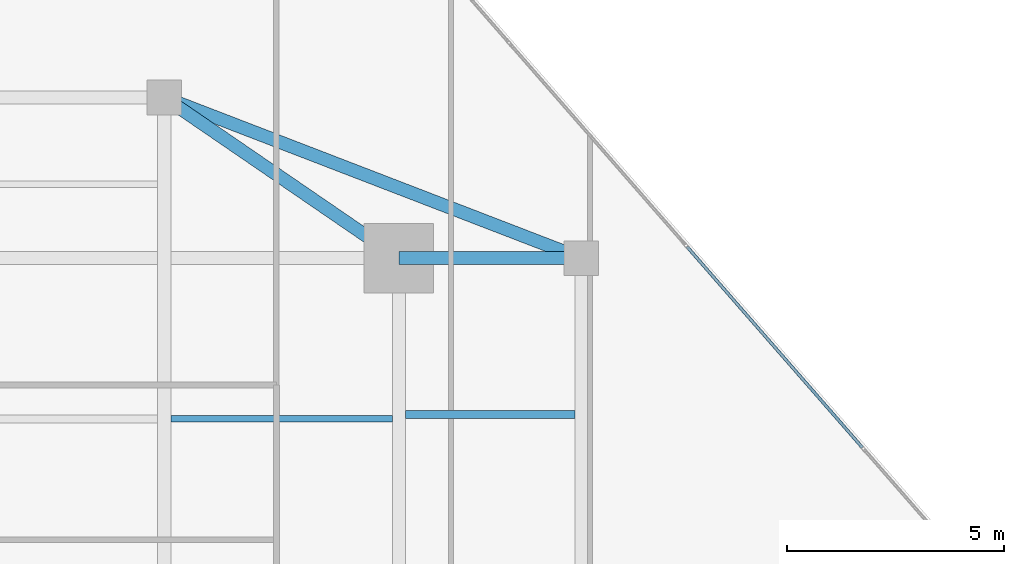
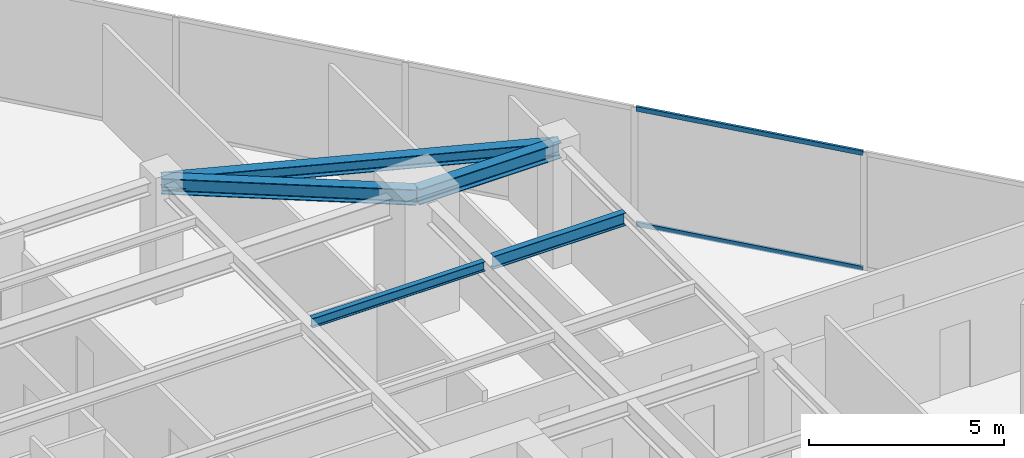
# One storey, part 17 of 24: 5 beams, 2 members, 1 element without a shape of its own.
"""IFC4 building model written with IfcOpenShell, lengths in metres."""

from ifc_helpers import new_model, si_unit, direction, frame, origin, origin_2d, place, context, subcontext, project, spatial, hollow_rectangle, i_section, extrude, source, transform, mapped, material, material_profile, profile_set, type_object, type_shapes, element, aggregate, save


model = new_model("IFC4")

# Units and contexts
model_context = context("Model", 3, precision=1e-05, world=origin(), true_north=direction((0.0, 1.0)))
body_context = subcontext(model_context, "Body", "Model", "MODEL_VIEW")
ifc_project = project(units=[si_unit("LENGTHUNIT", "METRE"), si_unit("AREAUNIT", "SQUARE_METRE"), si_unit("VOLUMEUNIT", "CUBIC_METRE"), si_unit("PLANEANGLEUNIT", "RADIAN"), si_unit("MASSUNIT", "GRAM", prefix="KILO")], contexts=[model_context])

# Site, building, storey
site_placement = place(None, origin())
site = spatial("IfcSite", under=ifc_project, at=site_placement, CompositionType="ELEMENT")
building_placement = place(site_placement, origin())
building = spatial("IfcBuilding", under=site, at=building_placement, Name="Krantzveldt Concourse Tower", CompositionType="ELEMENT")
storey_placement = place(building_placement, frame((0.0, 0.0, 250.75)))
storey = spatial("IfcBuildingStorey", under=building, at=storey_placement, Name="L61", CompositionType="ELEMENT", Elevation=250.75)

# Beams
ifc_material_1 = material(Name="Steel S355JR", Category="steel")
ifc_material_profile_1 = material_profile(ifc_material_1, i_section(OverallWidth=0.300048828125, OverallDepth=0.389892578125, WebThickness=0.010986328125, FlangeThickness=0.01904296875, FilletRadius=0.027099609375, at=origin_2d()), Name="Steel S355JR", Category="steel")
ifc_profile_set_1 = profile_set([ifc_material_profile_1], Name="Steel S355JR - HEA 400")
beam_type_1 = type_object("IfcBeamType", Name="BM-SP-HEA400", PredefinedType="SPANDREL", material=ifc_profile_set_1)
shared_shape_1 = source(origin(), body_context, "Body", "SweptSolid", [
    extrude(i_section(OverallWidth=0.300048828125, OverallDepth=0.389892578125, WebThickness=0.010986328125, FlangeThickness=0.01904296875, FilletRadius=0.027099609375, at=origin_2d()), origin(), (0.0, 0.0, 1.0), 10.288330078125),
])
type_shapes(beam_type_1, [shared_shape_1])
beam_1_placement = place(storey_placement, frame((41.39990234375, 41.199951171875, 3.47509765625), z_axis=(0.933097690408, -0.359622997257, 0.0), x_axis=(0.359622997257, 0.933097690408, 0.0)))
element("IfcBeam", 1, at=beam_1_placement, inside=storey, type_object=beam_type_1, Name="L61 Tower Girder SP-R05", PredefinedType="SPANDREL", context=body_context, shape_type="MappedRepresentation", body=[
    mapped(shared_shape_1, transform((0.0, 0.0, 0.0), x_axis=(1.0, 0.0, 0.0), y_axis=(0.0, 1.0, 0.0), z_axis=(0.0, 0.0, 1.0), scale=1.0)),
])
ifc_material_profile_2 = material_profile(ifc_material_1, i_section(OverallWidth=0.300048828125, OverallDepth=0.489990234375, WebThickness=0.011962890625, FlangeThickness=0.02294921875, FilletRadius=0.027099609375, at=origin_2d()), Name="Steel S355JR", Category="steel")
ifc_profile_set_2 = profile_set([ifc_material_profile_2], Name="Steel S355JR - HEA 500")
beam_type_2 = type_object("IfcBeamType", Name="BM-B-HEA500", PredefinedType="BEAM", material=ifc_profile_set_2)
shared_shape_2 = source(origin(), body_context, "Body", "SweptSolid", [
    extrude(i_section(OverallWidth=0.300048828125, OverallDepth=0.489990234375, WebThickness=0.011962890625, FlangeThickness=0.02294921875, FilletRadius=0.027099609375, at=origin_2d()), origin(), (0.0, 0.0, 1.0), 4.199951171875),
])
beam_2_placement = place(storey_placement, frame((46.800048828125, 37.5, 3.425048828125), z_axis=(1.0, 0.0, 0.0), x_axis=(0.0, 1.0, 0.0)))
element("IfcBeam", 2, at=beam_2_placement, inside=storey, type_object=beam_type_2, Name="L61 Tower Girder BR-RR3", PredefinedType="BEAM", context=body_context, shape_type="MappedRepresentation", body=[
    mapped(shared_shape_2, transform((0.0, 0.0, 0.0), x_axis=(1.0, 0.0, 0.0), y_axis=(0.0, 1.0, 0.0), z_axis=(0.0, 0.0, 1.0), scale=1.0)),
])
shared_shape_3 = source(origin(), body_context, "Body", "SweptSolid", [
    extrude(i_section(OverallWidth=0.300048828125, OverallDepth=0.489990234375, WebThickness=0.011962890625, FlangeThickness=0.02294921875, FilletRadius=0.027099609375, at=origin_2d()), origin(), (0.0, 0.0, 1.0), 6.546142578125),
])
type_shapes(beam_type_2, [shared_shape_2, shared_shape_3])
beam_3_placement = place(storey_placement, frame((46.800048828125, 37.5, 3.425048828125), z_axis=(-0.824942999484, 0.565215930068, 0.0), x_axis=(-0.565215930068, -0.824942999484, 0.0)))
element("IfcBeam", 3, at=beam_3_placement, inside=storey, type_object=beam_type_2, Name="L61 Tower Girder BR-RR4", PredefinedType="BEAM", context=body_context, shape_type="MappedRepresentation", body=[
    mapped(shared_shape_3, transform((0.0, 0.0, 0.0), x_axis=(1.0, 0.0, 0.0), y_axis=(0.0, 1.0, 0.0), z_axis=(0.0, 0.0, 1.0), scale=1.0)),
])
ifc_material_profile_3 = material_profile(ifc_material_1, i_section(OverallWidth=0.14990234375, OverallDepth=0.300048828125, WebThickness=0.007080078125, FlangeThickness=0.0107421875, FilletRadius=0.014892578125, at=origin_2d()), Name="Steel S355JR", Category="steel")
ifc_profile_set_3 = profile_set([ifc_material_profile_3], Name="Steel S355JR - IPE 300")
beam_type_3 = type_object("IfcBeamType", Name="BM-J-IPE300", PredefinedType="JOIST", material=ifc_profile_set_3)
shared_shape_4 = source(origin(), body_context, "Body", "SweptSolid", [
    extrude(i_section(OverallWidth=0.14990234375, OverallDepth=0.300048828125, WebThickness=0.007080078125, FlangeThickness=0.0107421875, FilletRadius=0.014892578125, at=origin_2d()), origin(), (0.0, 0.0, 1.0), 5.099853515625),
])
type_shapes(beam_type_3, [shared_shape_4])
beam_4_placement = place(storey_placement, frame((41.550048828125, 33.800048828125, 3.52001953125), z_axis=(1.0, 0.0, 0.0), x_axis=(0.0, 1.0, 0.0)))
element("IfcBeam", 4, at=beam_4_placement, inside=storey, type_object=beam_type_3, Name="L61 Secondary Floor Joist JN-E2", PredefinedType="JOIST", context=body_context, shape_type="MappedRepresentation", body=[
    mapped(shared_shape_4, transform((0.0, 0.0, 0.0), x_axis=(1.0, 0.0, 0.0), y_axis=(0.0, 1.0, 0.0), z_axis=(0.0, 0.0, 1.0), scale=1.0)),
])
ifc_material_profile_4 = material_profile(ifc_material_1, i_section(OverallWidth=0.179931640625, OverallDepth=0.39990234375, WebThickness=0.008544921875, FlangeThickness=0.013427734375, FilletRadius=0.02099609375, at=origin_2d()), Name="Steel S355JR", Category="steel")
ifc_profile_set_4 = profile_set([ifc_material_profile_4], Name="Steel S355JR - IPE 400")
beam_type_4 = type_object("IfcBeamType", Name="BM-J-IPE400", PredefinedType="JOIST", material=ifc_profile_set_4)
shared_shape_5 = source(origin(), body_context, "Body", "SweptSolid", [
    extrude(i_section(OverallWidth=0.179931640625, OverallDepth=0.39990234375, WebThickness=0.008544921875, FlangeThickness=0.013427734375, FilletRadius=0.02099609375, at=origin_2d()), origin(), (0.0, 0.0, 1.0), 3.900146484375),
])
type_shapes(beam_type_4, [shared_shape_5])
beam_5_placement = place(storey_placement, frame((46.949951171875, 33.89990234375, 3.469970703125), z_axis=(1.0, 0.0, 0.0), x_axis=(0.0, 1.0, 0.0)))
element("IfcBeam", 5, at=beam_5_placement, inside=storey, type_object=beam_type_4, Name="L61 Secondary Floor Joist JE-4", PredefinedType="JOIST", context=body_context, shape_type="MappedRepresentation", body=[
    mapped(shared_shape_5, transform((0.0, 0.0, 0.0), x_axis=(1.0, 0.0, 0.0), y_axis=(0.0, 1.0, 0.0), z_axis=(0.0, 0.0, 1.0), scale=1.0)),
])

# Curtain wall, members
ifc_material_2 = material(Name="Anodised aluminium 6063-T6", Category="aluminium")
curtain_wall_type = type_object("IfcCurtainWallType", Name="CW3", PredefinedType="USERDEFINED", material=ifc_material_2)
curtain_wall_placement = place(storey_placement, origin())
curtain_wall = element("IfcCurtainWall", 6, at=curtain_wall_placement, inside=storey, type_object=curtain_wall_type, Name="CW-L61-F10", ObjectType="UNITISED CURTAIN WALL", PredefinedType="USERDEFINED")
ifc_material_profile_5 = material_profile(ifc_material_2, hollow_rectangle(XDim=0.070068359375, YDim=0.139892578125, WallThickness=0.0048828125, at=origin_2d()), Name="Anodised aluminium 6063-T6", Category="aluminium")
ifc_profile_set_5 = profile_set([ifc_material_profile_5], Name="Anodised aluminium 6063-T6 - ALU-TRAN 140x70x5")
member_type = type_object("IfcMemberType", Name="CW-TRN-150", PredefinedType="USERDEFINED", material=ifc_profile_set_5)
shared_shape_6 = source(origin(), body_context, "Body", "SweptSolid", [
    extrude(hollow_rectangle(XDim=0.070068359375, YDim=0.139892578125, WallThickness=0.0048828125, at=origin_2d()), origin(), (0.0, 0.0, 1.0), 6.130126953125),
])
type_shapes(member_type, [shared_shape_6])
member_1_placement = place(storey_placement, frame((57.468017578125, 33.14453125, 0.034912109375), z_axis=(-0.657697827635, 0.753281864593, 0.0), x_axis=(-0.753281864593, -0.657697827635, 0.0)))
member_1 = element("IfcMember", 7, at=member_1_placement, type_object=member_type, Name="CW-Z34 transom 2.1", ObjectType="TRANSOM", PredefinedType="USERDEFINED", context=body_context, shape_type="MappedRepresentation", body=[
    mapped(shared_shape_6, transform((0.0, 0.0, 0.0), x_axis=(1.0, 0.0, 0.0), y_axis=(0.0, 1.0, 0.0), z_axis=(0.0, 0.0, 1.0), scale=1.0)),
])
member_2_placement = place(storey_placement, frame((57.468017578125, 33.14453125, 3.635009765625), z_axis=(-0.657697827635, 0.753281864593, 0.0), x_axis=(-0.753281864593, -0.657697827635, 0.0)))
member_2 = element("IfcMember", 8, at=member_2_placement, type_object=member_type, Name="CW-Z34 transom 2.2", ObjectType="TRANSOM", PredefinedType="USERDEFINED", context=body_context, shape_type="MappedRepresentation", body=[
    mapped(shared_shape_6, transform((0.0, 0.0, 0.0), x_axis=(1.0, 0.0, 0.0), y_axis=(0.0, 1.0, 0.0), z_axis=(0.0, 0.0, 1.0), scale=1.0)),
])
aggregate(curtain_wall, [member_1, member_2])

save(model, "model.ifc")
